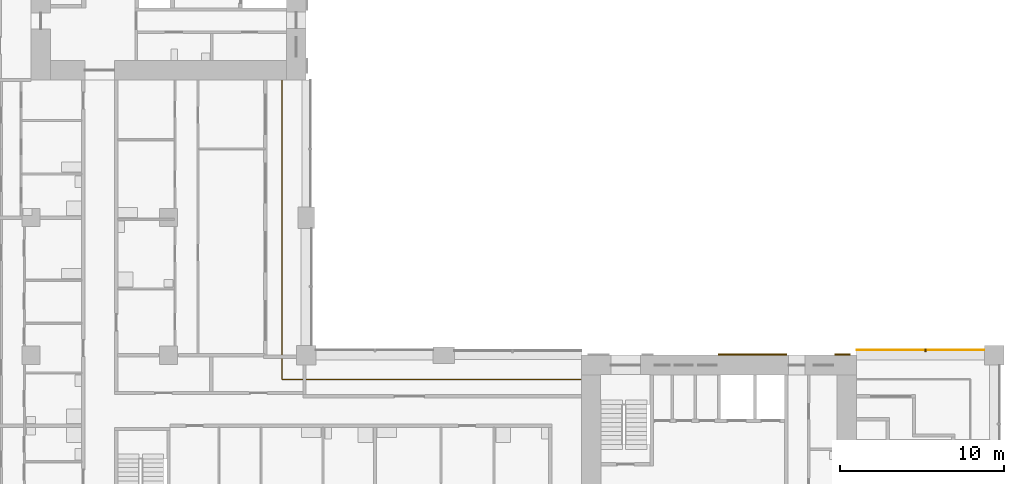
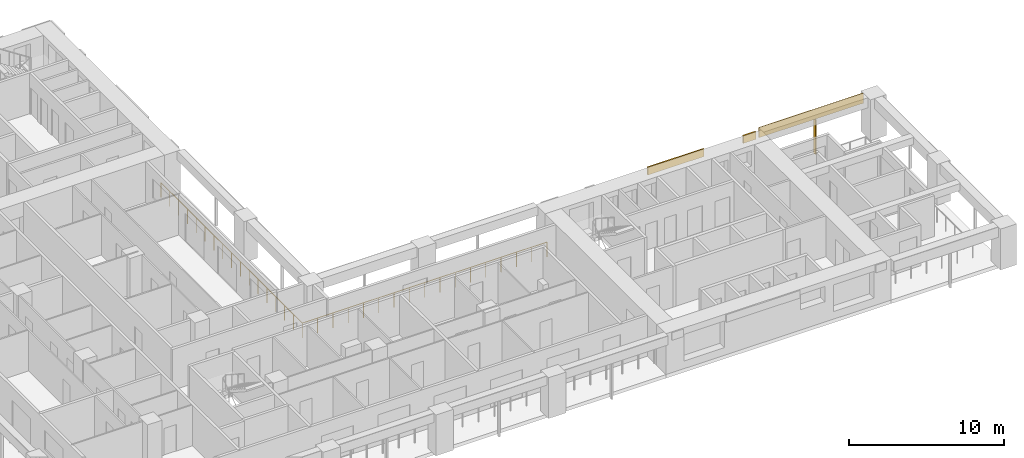
# One storey, part 13 of 17: 4 shading devices, 1 railing.
"""IFC4 building model written with IfcOpenShell, lengths in metres."""

from ifc_helpers import new_model, si_unit, direction, frame, origin, origin_2d, place, context, subcontext, project, spatial, rectangle, circle, extrude, material, layer, layer_set, material_profile, profile_set, type_object, element, save


model = new_model("IFC4")

# Units and contexts
model_context = context("Model", 3, precision=1e-05, world=origin(), true_north=direction((0.0, 1.0)))
body_context = subcontext(model_context, "Body", "Model", "MODEL_VIEW")
ifc_project = project(units=[si_unit("LENGTHUNIT", "METRE"), si_unit("AREAUNIT", "SQUARE_METRE"), si_unit("VOLUMEUNIT", "CUBIC_METRE"), si_unit("PLANEANGLEUNIT", "RADIAN"), si_unit("MASSUNIT", "GRAM", prefix="KILO")], contexts=[model_context])

# Site, building, storey
site_placement = place(None, origin())
site = spatial("IfcSite", under=ifc_project, at=site_placement, CompositionType="ELEMENT")
building_placement = place(site_placement, origin())
building = spatial("IfcBuilding", under=site, at=building_placement, Name="Vermilion Gate Residences", CompositionType="ELEMENT")
storey_placement = place(building_placement, frame((0.0, 0.0, 112.699951171875)))
storey = spatial("IfcBuildingStorey", under=building, at=storey_placement, Name="L28", CompositionType="ELEMENT", Elevation=112.699951171875)

# Railing
ifc_material_1 = material(Name="Stainless steel and toughened glass", Category="steel")
railing_type = type_object("IfcRailingType", Name="LOGGIA GUARD STEEL AND GLASS 1200", PredefinedType="GUARDRAIL", material=ifc_material_1)
railing_placement = place(storey_placement, frame((41.97802734375, 23.72509765625, 0.0)))
element("IfcRailing", 1, at=railing_placement, inside=storey, type_object=railing_type, Name="Loggia guard", PredefinedType="GUARDRAIL", context=body_context, shape_type="SweptSolid", body=[
    extrude(circle(Radius=0.030029296875, at=origin_2d()), frame((0.0, 0.0, 1.169921875), z_axis=(-1.0, 0.0, 0.0), x_axis=(0.0, -1.0, 0.0)), (0.0, 0.0, 1.0), 18.2529296875),
    extrude(circle(Radius=0.030029296875, at=origin_2d()), frame((-18.2529296875, 0.0, 1.169921875), z_axis=(0.0, 1.0, 0.0), x_axis=(-1.0, 0.0, 0.0)), (0.0, 0.0, 1.0), 18.2529296875),
    extrude(circle(Radius=0.02490234375, at=origin_2d()), origin(), (0.0, 0.0, 1.0), 1.139892578125),
    extrude(circle(Radius=0.02490234375, at=origin_2d()), frame((-1.140869140625, 0.0, 0.0)), (0.0, 0.0, 1.0), 1.139892578125),
    extrude(circle(Radius=0.02490234375, at=origin_2d()), frame((-2.28173828125, 0.0, 0.0)), (0.0, 0.0, 1.0), 1.139892578125),
    extrude(circle(Radius=0.02490234375, at=origin_2d()), frame((-3.42236328125, 0.0, 0.0)), (0.0, 0.0, 1.0), 1.139892578125),
    extrude(circle(Radius=0.02490234375, at=origin_2d()), frame((-4.563232421875, 0.0, 0.0)), (0.0, 0.0, 1.0), 1.139892578125),
    extrude(circle(Radius=0.02490234375, at=origin_2d()), frame((-5.7041015625, 0.0, 0.0)), (0.0, 0.0, 1.0), 1.139892578125),
    extrude(circle(Radius=0.02490234375, at=origin_2d()), frame((-6.8447265625, 0.0, 0.0)), (0.0, 0.0, 1.0), 1.139892578125),
    extrude(circle(Radius=0.02490234375, at=origin_2d()), frame((-7.985595703125, 0.0, 0.0)), (0.0, 0.0, 1.0), 1.139892578125),
    extrude(circle(Radius=0.02490234375, at=origin_2d()), frame((-9.12646484375, 0.0, 0.0)), (0.0, 0.0, 1.0), 1.139892578125),
    extrude(circle(Radius=0.02490234375, at=origin_2d()), frame((-10.267333984375, 0.0, 0.0)), (0.0, 0.0, 1.0), 1.139892578125),
    extrude(circle(Radius=0.02490234375, at=origin_2d()), frame((-11.408203125, 0.0, 0.0)), (0.0, 0.0, 1.0), 1.139892578125),
    extrude(circle(Radius=0.02490234375, at=origin_2d()), frame((-12.548828125, 0.0, 0.0)), (0.0, 0.0, 1.0), 1.139892578125),
    extrude(circle(Radius=0.02490234375, at=origin_2d()), frame((-13.689697265625, 0.0, 0.0)), (0.0, 0.0, 1.0), 1.139892578125),
    extrude(circle(Radius=0.02490234375, at=origin_2d()), frame((-14.83056640625, 0.0, 0.0)), (0.0, 0.0, 1.0), 1.139892578125),
    extrude(circle(Radius=0.02490234375, at=origin_2d()), frame((-15.97119140625, 0.0, 0.0)), (0.0, 0.0, 1.0), 1.139892578125),
    extrude(circle(Radius=0.02490234375, at=origin_2d()), frame((-17.112060546875, 0.0, 0.0)), (0.0, 0.0, 1.0), 1.139892578125),
    extrude(circle(Radius=0.02490234375, at=origin_2d()), frame((-18.2529296875, 0.0, 0.0)), (0.0, 0.0, 1.0), 1.139892578125),
    extrude(circle(Radius=0.02490234375, at=origin_2d()), frame((-18.2529296875, 1.140869140625, 0.0)), (0.0, 0.0, 1.0), 1.139892578125),
    extrude(circle(Radius=0.02490234375, at=origin_2d()), frame((-18.2529296875, 2.28173828125, 0.0)), (0.0, 0.0, 1.0), 1.139892578125),
    extrude(circle(Radius=0.02490234375, at=origin_2d()), frame((-18.2529296875, 3.42236328125, 0.0)), (0.0, 0.0, 1.0), 1.139892578125),
    extrude(circle(Radius=0.02490234375, at=origin_2d()), frame((-18.2529296875, 4.563232421875, 0.0)), (0.0, 0.0, 1.0), 1.139892578125),
    extrude(circle(Radius=0.02490234375, at=origin_2d()), frame((-18.2529296875, 5.7041015625, 0.0)), (0.0, 0.0, 1.0), 1.139892578125),
    extrude(circle(Radius=0.02490234375, at=origin_2d()), frame((-18.2529296875, 6.8447265625, 0.0)), (0.0, 0.0, 1.0), 1.139892578125),
    extrude(circle(Radius=0.02490234375, at=origin_2d()), frame((-18.2529296875, 7.985595703125, 0.0)), (0.0, 0.0, 1.0), 1.139892578125),
    extrude(circle(Radius=0.02490234375, at=origin_2d()), frame((-18.2529296875, 9.12646484375, 0.0)), (0.0, 0.0, 1.0), 1.139892578125),
    extrude(circle(Radius=0.02490234375, at=origin_2d()), frame((-18.2529296875, 10.267333984375, 0.0)), (0.0, 0.0, 1.0), 1.139892578125),
    extrude(circle(Radius=0.02490234375, at=origin_2d()), frame((-18.2529296875, 11.408203125, 0.0)), (0.0, 0.0, 1.0), 1.139892578125),
    extrude(circle(Radius=0.02490234375, at=origin_2d()), frame((-18.2529296875, 12.548828125, 0.0)), (0.0, 0.0, 1.0), 1.139892578125),
    extrude(circle(Radius=0.02490234375, at=origin_2d()), frame((-18.2529296875, 13.689697265625, 0.0)), (0.0, 0.0, 1.0), 1.139892578125),
    extrude(circle(Radius=0.02490234375, at=origin_2d()), frame((-18.2529296875, 14.83056640625, 0.0)), (0.0, 0.0, 1.0), 1.139892578125),
    extrude(circle(Radius=0.02490234375, at=origin_2d()), frame((-18.2529296875, 15.97119140625, 0.0)), (0.0, 0.0, 1.0), 1.139892578125),
    extrude(circle(Radius=0.02490234375, at=origin_2d()), frame((-18.2529296875, 17.112060546875, 0.0)), (0.0, 0.0, 1.0), 1.139892578125),
    extrude(circle(Radius=0.02490234375, at=origin_2d()), frame((-18.2529296875, 18.2529296875, 0.0)), (0.0, 0.0, 1.0), 1.139892578125),
])

# Shading devices
ifc_material_2 = material(Name="Perforated terracotta", Category="masonry")
ifc_layer_1 = layer(ifc_material_2, 0.0400390625)
ifc_layer_set_1 = layer_set([ifc_layer_1], Name="PERFORATED TERRACOTTA SCREEN 40")
shading_device_type_1 = type_object("IfcShadingDeviceType", Name="PERFORATED TERRACOTTA SCREEN 40", PredefinedType="SHUTTER", material=ifc_layer_set_1)
shading_device_1_placement = place(storey_placement, frame((62.699951171875, 25.52001953125, 2.419921875), z_axis=(0.0, 0.0, 1.0), x_axis=(-1.0, 0.0, 0.0)))
element("IfcShadingDevice", 2, at=shading_device_1_placement, inside=storey, type_object=shading_device_type_1, Name="SCREEN", PredefinedType="SHUTTER", context=body_context, shape_type="SweptSolid", body=[
    extrude(rectangle(XDim=7.800048828125, YDim=0.0400390625, at=origin_2d()), origin(), (0.0, 0.0, 1.0), 0.800048828125),
])
ifc_material_3 = material(Name="Extruded terracotta", Category="masonry")
ifc_material_profile = material_profile(ifc_material_3, rectangle(XDim=0.199951171875, YDim=0.10009765625, at=origin_2d()), Name="BAGUETTE 100 X 200")
ifc_profile_set = profile_set([ifc_material_profile], Name="Extruded terracotta")
shading_device_type_2 = type_object("IfcShadingDeviceType", Name="TERRACOTTA BAGUETTE 100 X 200", PredefinedType="JALOUSIE", material=ifc_profile_set)
shading_device_2_placement = place(storey_placement, frame((63.0, 25.5, -0.280029296875), z_axis=(0.0, 0.0, 1.0), x_axis=(0.0, -1.0, 0.0)))
element("IfcShadingDevice", 3, at=shading_device_2_placement, inside=storey, type_object=shading_device_type_2, Name="BAGUETTE", PredefinedType="JALOUSIE", context=body_context, shape_type="SweptSolid", body=[
    extrude(rectangle(XDim=0.199951171875, YDim=0.10009765625, at=origin_2d()), origin(), (0.0, 0.0, 1.0), 2.7001953125),
])
ifc_material_4 = material(Name="Extruded terracotta", Category="masonry")
ifc_layer_2 = layer(ifc_material_4, 0.10009765625)
ifc_layer_set_2 = layer_set([ifc_layer_2], Name="TERRACOTTA SPANDREL BAND 600 X 100")
shading_device_type_3 = type_object("IfcShadingDeviceType", Name="TERRACOTTA SPANDREL BAND 600 X 100", PredefinedType="USERDEFINED", material=ifc_layer_set_2)
shading_device_3_placement = place(storey_placement, frame((52.449951171875, 25.25, 2.6201171875), z_axis=(0.0, 0.0, 1.0), x_axis=(1.0, 0.0, 0.0)))
element("IfcShadingDevice", 4, at=shading_device_3_placement, inside=storey, type_object=shading_device_type_3, Name="SPANDREL BAND", ObjectType="BAND", PredefinedType="USERDEFINED", context=body_context, shape_type="SweptSolid", body=[
    extrude(rectangle(XDim=4.199951171875, YDim=0.10009765625, at=origin_2d()), origin(), (0.0, 0.0, 1.0), 0.60009765625),
])
shading_device_4_placement = place(storey_placement, frame((57.9375, 25.25, 2.6201171875), z_axis=(0.0, 0.0, 1.0), x_axis=(1.0, 0.0, 0.0)))
element("IfcShadingDevice", 5, at=shading_device_4_placement, inside=storey, type_object=shading_device_type_3, Name="SPANDREL BAND", ObjectType="BAND", PredefinedType="USERDEFINED", context=body_context, shape_type="SweptSolid", body=[
    extrude(rectangle(XDim=0.925048828125, YDim=0.10009765625, at=origin_2d()), origin(), (0.0, 0.0, 1.0), 0.60009765625),
])

save(model, "model.ifc")
